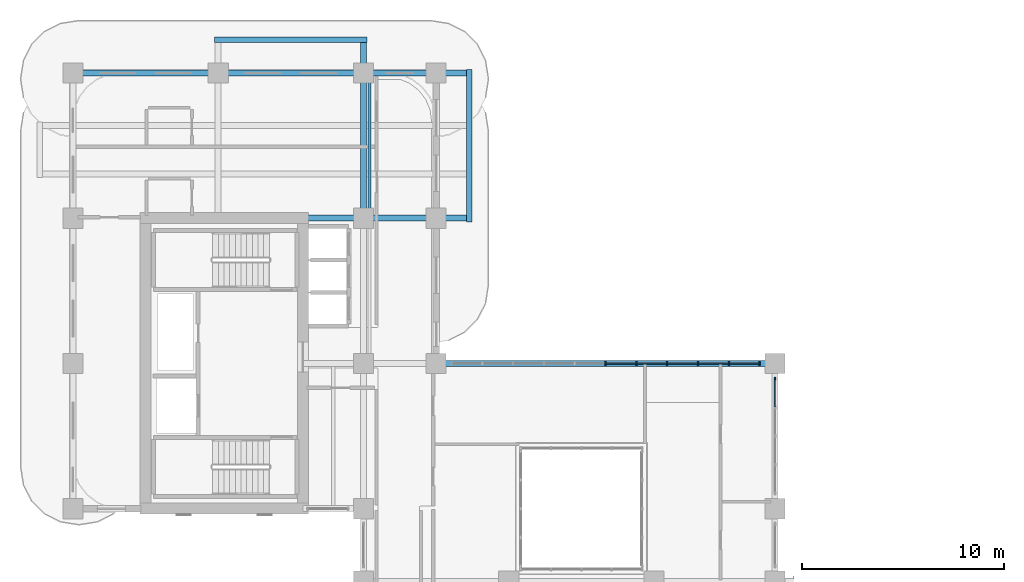
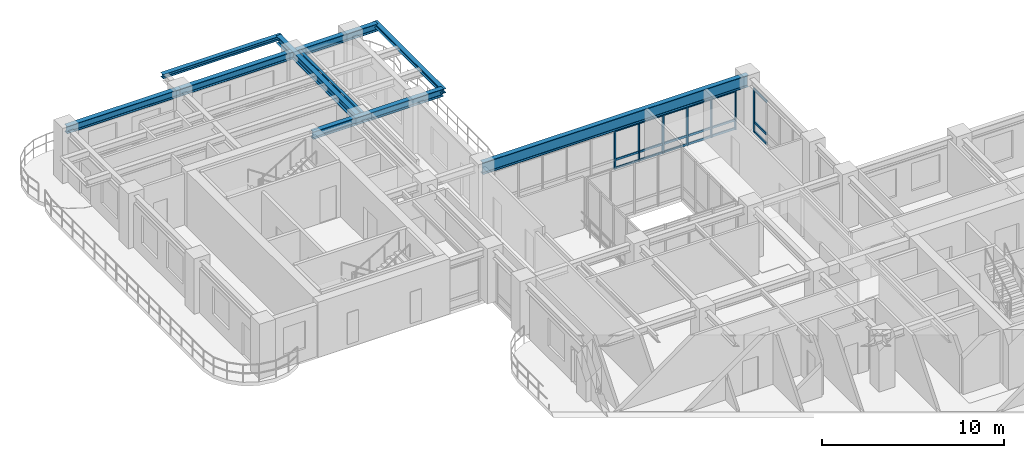
# One storey, part 6 of 20: 25 members, 8 beams, 2 elements without a shape of their own.
"""IFC4 building model written with IfcOpenShell, lengths in metres."""

from ifc_helpers import new_model, si_unit, derived_unit, direction, frame, origin, origin_2d, place, context, subcontext, project, spatial, rectangle, i_section, extrude, source, transform, mapped, material, layer, layer_set, material_profile, profile_set, type_object, type_shapes, element, aggregate, save


model = new_model("IFC4")

# Units and contexts
model_context = context("Model", 3, precision=1e-05, world=origin(), true_north=direction((0.0, 1.0)))
body_context = subcontext(model_context, "Body", "Model", "MODEL_VIEW")
ifc_project = project(units=[si_unit("LENGTHUNIT", "METRE"), si_unit("AREAUNIT", "SQUARE_METRE"), si_unit("VOLUMEUNIT", "CUBIC_METRE"), si_unit("PLANEANGLEUNIT", "RADIAN"), si_unit("MASSUNIT", "GRAM", prefix="KILO"), si_unit("THERMODYNAMICTEMPERATUREUNIT", "KELVIN"), si_unit("POWERUNIT", "WATT"), derived_unit("THERMALTRANSMITTANCEUNIT", [(si_unit("POWERUNIT", "WATT"), 1), (si_unit("AREAUNIT", "SQUARE_METRE"), -1), (si_unit("THERMODYNAMICTEMPERATUREUNIT", "KELVIN"), -1)])], contexts=[model_context])

# Site, building, storey
site_placement = place(None, origin())
site = spatial("IfcSite", under=ifc_project, at=site_placement, CompositionType="ELEMENT")
building_placement = place(site_placement, origin())
building = spatial("IfcBuilding", under=site, at=building_placement, Name="Zahravan Archway Hotel and Residences", CompositionType="ELEMENT")
storey_placement = place(building_placement, frame((0.0, 0.0, 122.89990234375)))
storey = spatial("IfcBuildingStorey", under=building, at=storey_placement, Name="L30", CompositionType="ELEMENT", Elevation=122.89990234375)

# Beams
ifc_material_1 = material(Name="Structural Steel S355JR", Category="steel")
ifc_material_profile_1 = material_profile(ifc_material_1, i_section(OverallWidth=0.280029296875, OverallDepth=0.280029296875, WebThickness=0.010498046875, FlangeThickness=0.01806640625, FilletRadius=0.02392578125, at=origin_2d()), Name="HEB 280", Category="steel")
ifc_profile_set_1 = profile_set([ifc_material_profile_1], Name="Structural Steel S355JR")
beam_type_1 = type_object("IfcBeamType", Name="BM-SPN-HEB280", PredefinedType="SPANDREL", material=ifc_profile_set_1)
shared_shape_1 = source(origin(), body_context, "Body", "SweptSolid", [
    extrude(i_section(OverallWidth=0.280029296875, OverallDepth=0.280029296875, WebThickness=0.010498046875, FlangeThickness=0.01806640625, FilletRadius=0.02392578125, at=origin_2d()), origin(), (0.0, 0.0, 1.0), 7.56005859375),
])
type_shapes(beam_type_1, [shared_shape_1])
for number, where, z_axis, x_axis, name in (
    (1, (19.64990234375, 39.419921875, 3.31005859375), (0.0, 1.0, 0.0), (-1.0, 0.0, 0.0), "L31 EB Balcony Edge Spandrel"),
    (2, (7.02001953125, 48.449951171875, 3.31005859375), (1.0, 0.0, 0.0), (0.0, 1.0, 0.0), "L31 NB Balcony Edge Spandrel"),
):
    element("IfcBeam", number, at=place(storey_placement, frame(where, z_axis=z_axis, x_axis=x_axis)), inside=storey, type_object=beam_type_1, Name=name, PredefinedType="SPANDREL", context=body_context, shape_type="MappedRepresentation", body=[
        mapped(shared_shape_1, transform((0.0, 0.0, 0.0), scale=1.0)),
    ])
ifc_material_2 = material(Name="Structural Steel S355J2", Category="steel")
ifc_material_profile_2 = material_profile(ifc_material_2, i_section(OverallWidth=0.300048828125, OverallDepth=0.800048828125, WebThickness=0.017578125, FlangeThickness=0.032958984375, FilletRadius=0.030029296875, at=origin_2d()), Name="HEB 800", Category="steel")
ifc_profile_set_2 = profile_set([ifc_material_profile_2], Name="Structural Steel S355J2")
beam_type_2 = type_object("IfcBeamType", Name="BM-PRI-HEB800", PredefinedType="BEAM", material=ifc_profile_set_2)
shared_shape_2 = source(origin(), body_context, "Body", "SweptSolid", [
    extrude(i_section(OverallWidth=0.300048828125, OverallDepth=0.800048828125, WebThickness=0.017578125, FlangeThickness=0.032958984375, FilletRadius=0.030029296875, at=origin_2d()), origin(), (0.0, 0.0, 1.0), 16.800048828125),
])
type_shapes(beam_type_2, [shared_shape_2])
beam_1_placement = place(storey_placement, frame((18.0, 32.39990234375, 3.050048828125), z_axis=(1.0, 0.0, 0.0), x_axis=(0.0, 1.0, 0.0)))
element("IfcBeam", 3, at=beam_1_placement, inside=storey, type_object=beam_type_2, Name="L30 Primary Girder EW-18", PredefinedType="BEAM", context=body_context, shape_type="MappedRepresentation", body=[
    mapped(shared_shape_2, transform((0.0, 0.0, 0.0), scale=1.0)),
])
ifc_material_profile_3 = material_profile(ifc_material_1, i_section(OverallWidth=0.300048828125, OverallDepth=0.5, WebThickness=0.014404296875, FlangeThickness=0.028076171875, FilletRadius=0.027099609375, at=origin_2d()), Name="HEB 500", Category="steel")
ifc_profile_set_3 = profile_set([ifc_material_profile_3], Name="Structural Steel S355JR")
beam_type_3 = type_object("IfcBeamType", Name="BM-PRI-HEB500", PredefinedType="BEAM", material=ifc_profile_set_3)
shared_shape_3 = source(origin(), body_context, "Body", "SweptSolid", [
    extrude(i_section(OverallWidth=0.300048828125, OverallDepth=0.5, WebThickness=0.014404296875, FlangeThickness=0.028076171875, FilletRadius=0.027099609375, at=origin_2d()), origin(), (0.0, 0.0, 1.0), 7.199951171875),
])
beam_2_placement = place(storey_placement, frame((0.0, 46.800048828125, 3.2001953125), z_axis=(1.0, 0.0, 0.0), x_axis=(0.0, 1.0, 0.0)))
element("IfcBeam", 4, at=beam_2_placement, inside=storey, type_object=beam_type_3, Name="L30 Primary Girder EW-20", PredefinedType="BEAM", context=body_context, shape_type="MappedRepresentation", body=[
    mapped(shared_shape_3, transform((0.0, 0.0, 0.0), scale=1.0)),
])
ifc_material_profile_4 = material_profile(ifc_material_1, i_section(OverallWidth=0.159912109375, OverallDepth=0.330078125, WebThickness=0.007568359375, FlangeThickness=0.011474609375, FilletRadius=0.01806640625, at=origin_2d()), Name="IPE 330", Category="steel")
ifc_profile_set_4 = profile_set([ifc_material_profile_4], Name="Structural Steel S355JR")
beam_type_4 = type_object("IfcBeamType", Name="BM-JST-IPE330", PredefinedType="JOIST", material=ifc_profile_set_4)
shared_shape_4 = source(origin(), body_context, "Body", "SweptSolid", [
    extrude(i_section(OverallWidth=0.159912109375, OverallDepth=0.330078125, WebThickness=0.007568359375, FlangeThickness=0.011474609375, FilletRadius=0.01806640625, at=origin_2d()), origin(), (0.0, 0.0, 1.0), 6.904052734375),
])
type_shapes(beam_type_4, [shared_shape_4])
beam_3_placement = place(storey_placement, frame((14.699951171875, 39.748046875, 3.28515625), z_axis=(0.0, 1.0, 0.0), x_axis=(-1.0, 0.0, 0.0)))
element("IfcBeam", 5, at=beam_3_placement, inside=storey, type_object=beam_type_4, Name="L30 Composite Floor Joist 12", PredefinedType="JOIST", context=body_context, shape_type="MappedRepresentation", body=[
    mapped(shared_shape_4, transform((0.0, 0.0, 0.0), scale=1.0)),
])
shared_shape_5 = source(origin(), body_context, "Body", "SweptSolid", [
    extrude(i_section(OverallWidth=0.300048828125, OverallDepth=0.5, WebThickness=0.014404296875, FlangeThickness=0.028076171875, FilletRadius=0.027099609375, at=origin_2d()), origin(), (0.0, 0.0, 1.0), 8.25),
])
beam_4_placement = place(storey_placement, frame((11.39990234375, 39.60009765625, 3.2001953125), z_axis=(1.0, 0.0, 0.0), x_axis=(0.0, 1.0, 0.0)))
element("IfcBeam", 6, at=beam_4_placement, inside=storey, type_object=beam_type_3, Name="L30 Primary Girder EW-19", PredefinedType="BEAM", context=body_context, shape_type="MappedRepresentation", body=[
    mapped(shared_shape_5, transform((0.0, 0.0, 0.0), scale=1.0)),
])
shared_shape_6 = source(origin(), body_context, "Body", "SweptSolid", [
    extrude(i_section(OverallWidth=0.300048828125, OverallDepth=0.5, WebThickness=0.014404296875, FlangeThickness=0.028076171875, FilletRadius=0.027099609375, at=origin_2d()), origin(), (0.0, 0.0, 1.0), 12.449951171875),
])
beam_5_placement = place(storey_placement, frame((7.199951171875, 46.800048828125, 3.2001953125), z_axis=(1.0, 0.0, 0.0), x_axis=(0.0, 1.0, 0.0)))
element("IfcBeam", 7, at=beam_5_placement, inside=storey, type_object=beam_type_3, Name="L30 Primary Girder EW-21", PredefinedType="BEAM", context=body_context, shape_type="MappedRepresentation", body=[
    mapped(shared_shape_6, transform((0.0, 0.0, 0.0), scale=1.0)),
])
shared_shape_7 = source(origin(), body_context, "Body", "SweptSolid", [
    extrude(i_section(OverallWidth=0.300048828125, OverallDepth=0.5, WebThickness=0.014404296875, FlangeThickness=0.028076171875, FilletRadius=0.027099609375, at=origin_2d()), origin(), (0.0, 0.0, 1.0), 8.849853515625),
])
beam_6_placement = place(storey_placement, frame((14.39990234375, 39.60009765625, 3.2001953125), z_axis=(0.0, 1.0, 0.0), x_axis=(-1.0, 0.0, 0.0)))
element("IfcBeam", 8, at=beam_6_placement, inside=storey, type_object=beam_type_3, Name="L30 Primary Girder NS-34", PredefinedType="BEAM", context=body_context, shape_type="MappedRepresentation", body=[
    mapped(shared_shape_7, transform((0.0, 0.0, 0.0), scale=1.0)),
])

# Curtain wall, members
ifc_material_3 = material(Name="Bronze-Anodized Unitised Aluminium & Low-E Glass", Category="aluminium")
ifc_layer = layer(ifc_material_3, 0.179931640625, Name="Bronze-Anodized Unitised Aluminium & Low-E Glass", Category="aluminium")
ifc_layer_set = layer_set([ifc_layer], Name="Bronze-Anodized Unitised Aluminium & Low-E Glass")
curtain_wall_type = type_object("IfcCurtainWallType", Name="CW-TWR-FEAT", PredefinedType="NOTDEFINED", material=ifc_layer_set)
curtain_wall_1_placement = place(storey_placement, origin())
curtain_wall_1 = element("IfcCurtainWall", 9, at=curtain_wall_1_placement, inside=storey, type_object=curtain_wall_type, Name="L30 Curtain Wall CW-L30-HNG-E-2", PredefinedType="NOTDEFINED")
ifc_material_4 = material(Name="Bronze-Anodized Extruded Aluminium", Category="aluminium")
ifc_material_profile_5 = material_profile(ifc_material_4, rectangle(XDim=0.080078125, YDim=0.139892578125, at=origin_2d()), Name="TRN 80x140", Category="aluminium")
ifc_profile_set_5 = profile_set([ifc_material_profile_5], Name="Bronze-Anodized Extruded Aluminium")
member_type_1 = type_object("IfcMemberType", Name="CWM-TRN-140", PredefinedType="USERDEFINED", material=ifc_profile_set_5)
shared_shape_8 = source(origin(), body_context, "Body", "SweptSolid", [
    extrude(rectangle(XDim=0.080078125, YDim=0.139892578125, at=origin_2d()), origin(), (0.0, 0.0, 1.0), 1.340087890625),
])
member_1_placement = place(storey_placement, frame((34.800048828125, 30.260009765625, 0.070068359375), z_axis=(0.0, 1.0, 0.0), x_axis=(-1.0, 0.0, 0.0)))
member_1 = element("IfcMember", 10, at=member_1_placement, type_object=member_type_1, Name="CW-L30-HNG-E-2 Transom 3-1", ObjectType="TRANSOM", PredefinedType="USERDEFINED", context=body_context, shape_type="MappedRepresentation", body=[
    mapped(shared_shape_8, transform((0.0, 0.0, 0.0), scale=1.0)),
])
member_2_placement = place(storey_placement, frame((34.800048828125, 30.260009765625, 0.70458984375), z_axis=(0.0, 1.0, 0.0), x_axis=(-1.0, 0.0, 0.0)))
member_2 = element("IfcMember", 11, at=member_2_placement, type_object=member_type_1, Name="CW-L30-HNG-E-2 Transom 3-2", ObjectType="TRANSOM", PredefinedType="USERDEFINED", context=body_context, shape_type="MappedRepresentation", body=[
    mapped(shared_shape_8, transform((0.0, 0.0, 0.0), scale=1.0)),
])
member_3_placement = place(storey_placement, frame((34.800048828125, 30.260009765625, 2.864990234375), z_axis=(0.0, 1.0, 0.0), x_axis=(-1.0, 0.0, 0.0)))
member_3 = element("IfcMember", 12, at=member_3_placement, type_object=member_type_1, Name="CW-L30-HNG-E-2 Transom 3-3", ObjectType="TRANSOM", PredefinedType="USERDEFINED", context=body_context, shape_type="MappedRepresentation", body=[
    mapped(shared_shape_8, transform((0.0, 0.0, 0.0), scale=1.0)),
])

curtain_wall_2_placement = place(storey_placement, origin())
curtain_wall_2 = element("IfcCurtainWall", 13, at=curtain_wall_2_placement, inside=storey, type_object=curtain_wall_type, Name="L30 Curtain Wall CW-L30-HNG-N-1", PredefinedType="NOTDEFINED")
ifc_material_profile_6 = material_profile(ifc_material_4, rectangle(XDim=0.080078125, YDim=0.159912109375, at=origin_2d()), Name="MUL 80x160", Category="aluminium")
ifc_profile_set_6 = profile_set([ifc_material_profile_6], Name="Bronze-Anodized Extruded Aluminium")
member_type_2 = type_object("IfcMemberType", Name="CWM-MUL-160", PredefinedType="MULLION", material=ifc_profile_set_6)
shared_shape_9 = source(origin(), body_context, "Body", "SweptSolid", [
    extrude(rectangle(XDim=0.080078125, YDim=0.159912109375, at=origin_2d()), origin(), (0.0, 0.0, 1.0), 2.635009765625),
])
member_4_placement = place(storey_placement, frame((26.39990234375, 32.39990234375, 0.0), z_axis=(0.0, 0.0, 1.0), x_axis=(1.0, 0.0, 0.0)))
member_4 = element("IfcMember", 14, at=member_4_placement, type_object=member_type_2, Name="CW-L30-HNG-N-1 Mullion 5", PredefinedType="MULLION", context=body_context, shape_type="MappedRepresentation", body=[
    mapped(shared_shape_9, transform((0.0, 0.0, 0.0), scale=1.0)),
])
member_5_placement = place(storey_placement, frame((27.927978515625, 32.39990234375, 0.0), z_axis=(0.0, 0.0, 1.0), x_axis=(1.0, 0.0, 0.0)))
member_5 = element("IfcMember", 15, at=member_5_placement, type_object=member_type_2, Name="CW-L30-HNG-N-1 Mullion 6", PredefinedType="MULLION", context=body_context, shape_type="MappedRepresentation", body=[
    mapped(shared_shape_9, transform((0.0, 0.0, 0.0), scale=1.0)),
])
member_6_placement = place(storey_placement, frame((29.4560546875, 32.39990234375, 0.0), z_axis=(0.0, 0.0, 1.0), x_axis=(1.0, 0.0, 0.0)))
member_6 = element("IfcMember", 16, at=member_6_placement, type_object=member_type_2, Name="CW-L30-HNG-N-1 Mullion 7", PredefinedType="MULLION", context=body_context, shape_type="MappedRepresentation", body=[
    mapped(shared_shape_9, transform((0.0, 0.0, 0.0), scale=1.0)),
])
member_7_placement = place(storey_placement, frame((30.98388671875, 32.39990234375, 0.0), z_axis=(0.0, 0.0, 1.0), x_axis=(1.0, 0.0, 0.0)))
member_7 = element("IfcMember", 17, at=member_7_placement, type_object=member_type_2, Name="CW-L30-HNG-N-1 Mullion 8", PredefinedType="MULLION", context=body_context, shape_type="MappedRepresentation", body=[
    mapped(shared_shape_9, transform((0.0, 0.0, 0.0), scale=1.0)),
])
member_8_placement = place(storey_placement, frame((32.511962890625, 32.39990234375, 0.0), z_axis=(0.0, 0.0, 1.0), x_axis=(1.0, 0.0, 0.0)))
member_8 = element("IfcMember", 18, at=member_8_placement, type_object=member_type_2, Name="CW-L30-HNG-N-1 Mullion 9", PredefinedType="MULLION", context=body_context, shape_type="MappedRepresentation", body=[
    mapped(shared_shape_9, transform((0.0, 0.0, 0.0), scale=1.0)),
])
member_9_placement = place(storey_placement, frame((34.0400390625, 32.39990234375, 0.0), z_axis=(0.0, 0.0, 1.0), x_axis=(1.0, 0.0, 0.0)))
member_9 = element("IfcMember", 19, at=member_9_placement, type_object=member_type_2, Name="CW-L30-HNG-N-1 Mullion 10", PredefinedType="MULLION", context=body_context, shape_type="MappedRepresentation", body=[
    mapped(shared_shape_9, transform((0.0, 0.0, 0.0), scale=1.0)),
])
shared_shape_10 = source(origin(), body_context, "Body", "SweptSolid", [
    extrude(rectangle(XDim=0.080078125, YDim=0.139892578125, at=origin_2d()), origin(), (0.0, 0.0, 1.0), 1.447998046875),
])
member_10_placement = place(storey_placement, frame((26.43994140625, 32.39990234375, 0.070068359375), z_axis=(1.0, 0.0, 0.0), x_axis=(0.0, 1.0, 0.0)))
member_10 = element("IfcMember", 20, at=member_10_placement, type_object=member_type_1, Name="CW-L30-HNG-N-1 Transom 5-1", ObjectType="TRANSOM", PredefinedType="USERDEFINED", context=body_context, shape_type="MappedRepresentation", body=[
    mapped(shared_shape_10, transform((0.0, 0.0, 0.0), scale=1.0)),
])
member_11_placement = place(storey_placement, frame((26.43994140625, 32.39990234375, 0.632568359375), z_axis=(1.0, 0.0, 0.0), x_axis=(0.0, 1.0, 0.0)))
member_11 = element("IfcMember", 21, at=member_11_placement, type_object=member_type_1, Name="CW-L30-HNG-N-1 Transom 5-2", ObjectType="TRANSOM", PredefinedType="USERDEFINED", context=body_context, shape_type="MappedRepresentation", body=[
    mapped(shared_shape_10, transform((0.0, 0.0, 0.0), scale=1.0)),
])
member_12_placement = place(storey_placement, frame((26.43994140625, 32.39990234375, 2.565185546875), z_axis=(1.0, 0.0, 0.0), x_axis=(0.0, 1.0, 0.0)))
member_12 = element("IfcMember", 22, at=member_12_placement, type_object=member_type_1, Name="CW-L30-HNG-N-1 Transom 5-3", ObjectType="TRANSOM", PredefinedType="USERDEFINED", context=body_context, shape_type="MappedRepresentation", body=[
    mapped(shared_shape_10, transform((0.0, 0.0, 0.0), scale=1.0)),
])
member_13_placement = place(storey_placement, frame((27.968017578125, 32.39990234375, 0.070068359375), z_axis=(1.0, 0.0, 0.0), x_axis=(0.0, 1.0, 0.0)))
member_13 = element("IfcMember", 23, at=member_13_placement, type_object=member_type_1, Name="CW-L30-HNG-N-1 Transom 6-1", ObjectType="TRANSOM", PredefinedType="USERDEFINED", context=body_context, shape_type="MappedRepresentation", body=[
    mapped(shared_shape_10, transform((0.0, 0.0, 0.0), scale=1.0)),
])
member_14_placement = place(storey_placement, frame((27.968017578125, 32.39990234375, 0.632568359375), z_axis=(1.0, 0.0, 0.0), x_axis=(0.0, 1.0, 0.0)))
member_14 = element("IfcMember", 24, at=member_14_placement, type_object=member_type_1, Name="CW-L30-HNG-N-1 Transom 6-2", ObjectType="TRANSOM", PredefinedType="USERDEFINED", context=body_context, shape_type="MappedRepresentation", body=[
    mapped(shared_shape_10, transform((0.0, 0.0, 0.0), scale=1.0)),
])
member_15_placement = place(storey_placement, frame((27.968017578125, 32.39990234375, 2.565185546875), z_axis=(1.0, 0.0, 0.0), x_axis=(0.0, 1.0, 0.0)))
member_15 = element("IfcMember", 25, at=member_15_placement, type_object=member_type_1, Name="CW-L30-HNG-N-1 Transom 6-3", ObjectType="TRANSOM", PredefinedType="USERDEFINED", context=body_context, shape_type="MappedRepresentation", body=[
    mapped(shared_shape_10, transform((0.0, 0.0, 0.0), scale=1.0)),
])
member_16_placement = place(storey_placement, frame((29.49609375, 32.39990234375, 0.070068359375), z_axis=(1.0, 0.0, 0.0), x_axis=(0.0, 1.0, 0.0)))
member_16 = element("IfcMember", 26, at=member_16_placement, type_object=member_type_1, Name="CW-L30-HNG-N-1 Transom 7-1", ObjectType="TRANSOM", PredefinedType="USERDEFINED", context=body_context, shape_type="MappedRepresentation", body=[
    mapped(shared_shape_10, transform((0.0, 0.0, 0.0), scale=1.0)),
])
member_17_placement = place(storey_placement, frame((29.49609375, 32.39990234375, 0.632568359375), z_axis=(1.0, 0.0, 0.0), x_axis=(0.0, 1.0, 0.0)))
member_17 = element("IfcMember", 27, at=member_17_placement, type_object=member_type_1, Name="CW-L30-HNG-N-1 Transom 7-2", ObjectType="TRANSOM", PredefinedType="USERDEFINED", context=body_context, shape_type="MappedRepresentation", body=[
    mapped(shared_shape_10, transform((0.0, 0.0, 0.0), scale=1.0)),
])
member_18_placement = place(storey_placement, frame((29.49609375, 32.39990234375, 2.565185546875), z_axis=(1.0, 0.0, 0.0), x_axis=(0.0, 1.0, 0.0)))
member_18 = element("IfcMember", 28, at=member_18_placement, type_object=member_type_1, Name="CW-L30-HNG-N-1 Transom 7-3", ObjectType="TRANSOM", PredefinedType="USERDEFINED", context=body_context, shape_type="MappedRepresentation", body=[
    mapped(shared_shape_10, transform((0.0, 0.0, 0.0), scale=1.0)),
])
member_19_placement = place(storey_placement, frame((31.02392578125, 32.39990234375, 0.070068359375), z_axis=(1.0, 0.0, 0.0), x_axis=(0.0, 1.0, 0.0)))
member_19 = element("IfcMember", 29, at=member_19_placement, type_object=member_type_1, Name="CW-L30-HNG-N-1 Transom 8-1", ObjectType="TRANSOM", PredefinedType="USERDEFINED", context=body_context, shape_type="MappedRepresentation", body=[
    mapped(shared_shape_10, transform((0.0, 0.0, 0.0), scale=1.0)),
])
member_20_placement = place(storey_placement, frame((31.02392578125, 32.39990234375, 0.632568359375), z_axis=(1.0, 0.0, 0.0), x_axis=(0.0, 1.0, 0.0)))
member_20 = element("IfcMember", 30, at=member_20_placement, type_object=member_type_1, Name="CW-L30-HNG-N-1 Transom 8-2", ObjectType="TRANSOM", PredefinedType="USERDEFINED", context=body_context, shape_type="MappedRepresentation", body=[
    mapped(shared_shape_10, transform((0.0, 0.0, 0.0), scale=1.0)),
])
member_21_placement = place(storey_placement, frame((31.02392578125, 32.39990234375, 2.565185546875), z_axis=(1.0, 0.0, 0.0), x_axis=(0.0, 1.0, 0.0)))
member_21 = element("IfcMember", 31, at=member_21_placement, type_object=member_type_1, Name="CW-L30-HNG-N-1 Transom 8-3", ObjectType="TRANSOM", PredefinedType="USERDEFINED", context=body_context, shape_type="MappedRepresentation", body=[
    mapped(shared_shape_10, transform((0.0, 0.0, 0.0), scale=1.0)),
])
member_22_placement = place(storey_placement, frame((32.552001953125, 32.39990234375, 0.070068359375), z_axis=(1.0, 0.0, 0.0), x_axis=(0.0, 1.0, 0.0)))
member_22 = element("IfcMember", 32, at=member_22_placement, type_object=member_type_1, Name="CW-L30-HNG-N-1 Transom 9-1", ObjectType="TRANSOM", PredefinedType="USERDEFINED", context=body_context, shape_type="MappedRepresentation", body=[
    mapped(shared_shape_10, transform((0.0, 0.0, 0.0), scale=1.0)),
])
member_23_placement = place(storey_placement, frame((32.552001953125, 32.39990234375, 0.632568359375), z_axis=(1.0, 0.0, 0.0), x_axis=(0.0, 1.0, 0.0)))
member_23 = element("IfcMember", 33, at=member_23_placement, type_object=member_type_1, Name="CW-L30-HNG-N-1 Transom 9-2", ObjectType="TRANSOM", PredefinedType="USERDEFINED", context=body_context, shape_type="MappedRepresentation", body=[
    mapped(shared_shape_10, transform((0.0, 0.0, 0.0), scale=1.0)),
])
member_24_placement = place(storey_placement, frame((32.552001953125, 32.39990234375, 2.565185546875), z_axis=(1.0, 0.0, 0.0), x_axis=(0.0, 1.0, 0.0)))
member_24 = element("IfcMember", 34, at=member_24_placement, type_object=member_type_1, Name="CW-L30-HNG-N-1 Transom 9-3", ObjectType="TRANSOM", PredefinedType="USERDEFINED", context=body_context, shape_type="MappedRepresentation", body=[
    mapped(shared_shape_10, transform((0.0, 0.0, 0.0), scale=1.0)),
])
aggregate(curtain_wall_2, [member_4, member_5, member_6, member_7, member_8, member_9, member_10, member_11, member_12, member_13, member_14, member_15, member_16, member_17, member_18, member_19, member_20, member_21, member_22, member_23, member_24])

# Member
shared_shape_11 = source(origin(), body_context, "Body", "SweptSolid", [
    extrude(rectangle(XDim=0.080078125, YDim=0.159912109375, at=origin_2d()), origin(), (0.0, 0.0, 1.0), 2.93505859375),
])
member_25_placement = place(storey_placement, frame((34.800048828125, 31.639892578125, 0.0), z_axis=(0.0, 0.0, 1.0), x_axis=(1.0, 0.0, 0.0)))
member_25 = element("IfcMember", 35, at=member_25_placement, type_object=member_type_2, Name="CW-L30-HNG-E-2 Mullion 4", PredefinedType="MULLION", context=body_context, shape_type="MappedRepresentation", body=[
    mapped(shared_shape_11, transform((0.0, 0.0, 0.0), scale=1.0)),
])

aggregate(curtain_wall_1, [member_25, member_1, member_2, member_3])

save(model, "model.ifc")
